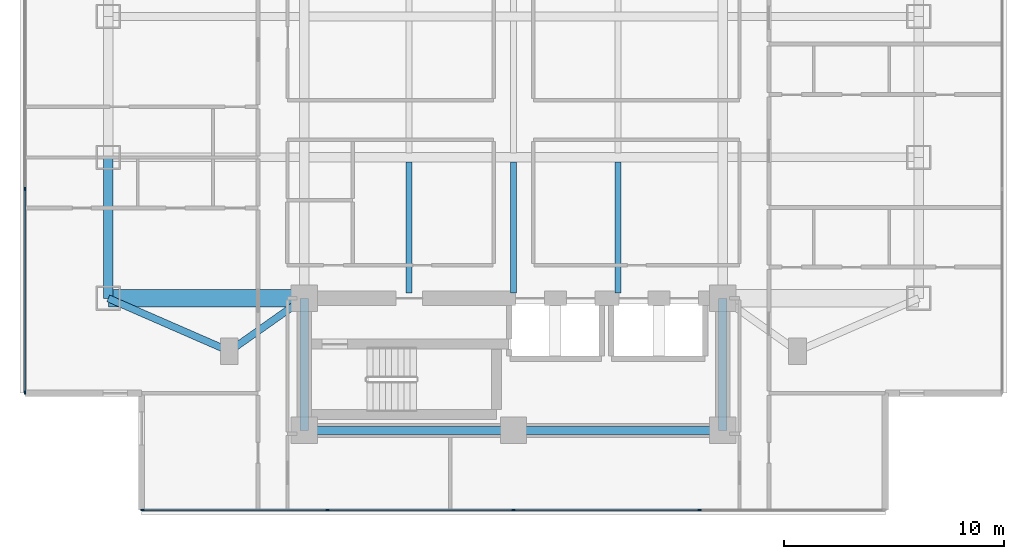
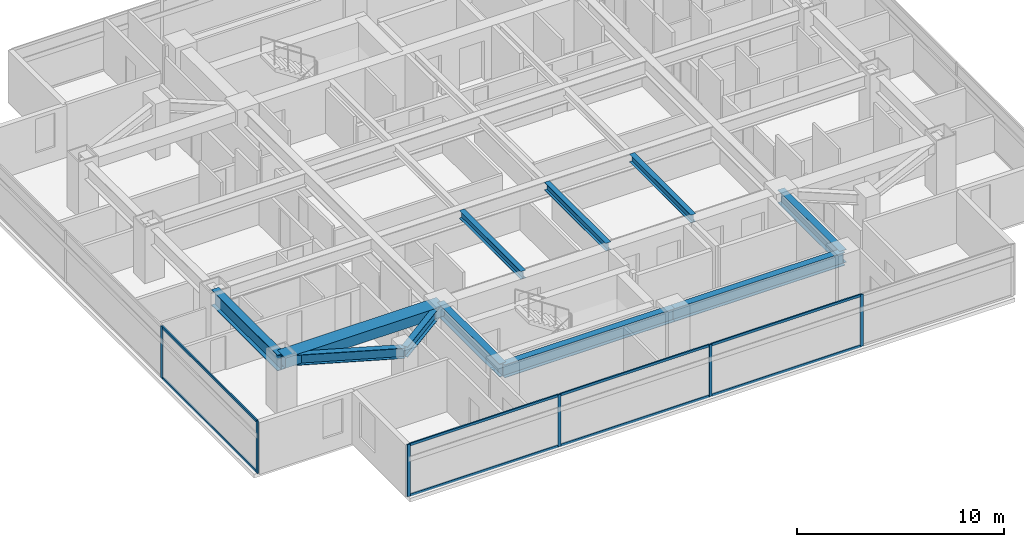
# One storey, part 2 of 25: 14 members, 11 beams, 2 elements without a shape of their own.
"""IFC4 building model written with IfcOpenShell, lengths in metres."""

from ifc_helpers import new_model, si_unit, direction, frame, origin, origin_2d, place, context, subcontext, project, spatial, rectangle, i_section, extrude, material, material_profile, profile_set, type_object, element, aggregate, save


model = new_model("IFC4")

# Units and contexts
model_context = context("Model", 3, precision=1e-05, world=origin(), true_north=direction((0.0, 1.0)))
body_context = subcontext(model_context, "Body", "Model", "MODEL_VIEW")
ifc_project = project(units=[si_unit("LENGTHUNIT", "METRE"), si_unit("AREAUNIT", "SQUARE_METRE"), si_unit("VOLUMEUNIT", "CUBIC_METRE"), si_unit("PLANEANGLEUNIT", "RADIAN"), si_unit("MASSUNIT", "GRAM", prefix="KILO")], contexts=[model_context])

# Site, building, storey
site_placement = place(None, origin())
site = spatial("IfcSite", under=ifc_project, at=site_placement, CompositionType="ELEMENT")
building_placement = place(site_placement, origin())
building = spatial("IfcBuilding", under=site, at=building_placement, Name="Mirazonda Arch Towers", CompositionType="ELEMENT")
storey_placement = place(building_placement, frame((0.0, 0.0, 111.5)))
storey = spatial("IfcBuildingStorey", under=building, at=storey_placement, Name="L31", CompositionType="ELEMENT", Elevation=111.5)

# Beams
ifc_material_1 = material(Name="Steel ASTM A992 Grade 50", Category="steel")
ifc_material_profile_1 = material_profile(ifc_material_1, i_section(OverallWidth=0.41796875, OverallDepth=0.927001953125, WebThickness=0.019287109375, FlangeThickness=0.031982421875, at=origin_2d()), Name="W36X231")
ifc_profile_set_1 = profile_set([ifc_material_profile_1], Name="Steel ASTM A992 Grade 50")
beam_type_1 = type_object("IfcBeamType", Name="BM-EXT-W36X231", PredefinedType="USERDEFINED", material=ifc_profile_set_1)
beam_1_placement = place(storey_placement, frame((2.10009765625, 18.39990234375, 2.616455078125), z_axis=(0.0, 1.0, 0.0), x_axis=(-1.0, 0.0, 0.0)))
element("IfcBeam", 1, at=beam_1_placement, inside=storey, type_object=beam_type_1, Name="L31 Floor Beam BM-T1-L31-NS-W-18", ObjectType="GIRDER", PredefinedType="USERDEFINED", context=body_context, shape_type="SweptSolid", body=[
    extrude(i_section(OverallWidth=0.41796875, OverallDepth=0.927001953125, WebThickness=0.019287109375, FlangeThickness=0.031982421875, at=origin_2d()), origin(), (0.0, 0.0, 1.0), 6.400146484375),
])
ifc_material_profile_2 = material_profile(ifc_material_1, i_section(OverallWidth=0.280029296875, OverallDepth=0.462890625, WebThickness=0.0107421875, FlangeThickness=0.017333984375, at=origin_2d()), Name="W18X76")
ifc_profile_set_2 = profile_set([ifc_material_profile_2], Name="Steel ASTM A992 Grade 50")
beam_type_2 = type_object("IfcBeamType", Name="BM-INT-W18X76", PredefinedType="JOIST", material=ifc_profile_set_2)
for number, where, z_axis, x_axis, name in (
    (2, (15.75, 18.639892578125, 2.848388671875), (0.0, 1.0, 0.0), (-1.0, 0.0, 0.0), "L31 Floor Beam BM-T1-L31-J-157-18"),
    (3, (20.5, 18.639892578125, 2.848388671875), (0.0, 1.0, 0.0), (-1.0, 0.0, 0.0), "L31 Floor Beam BM-T1-L31-J-205-18"),
    (4, (25.25, 18.639892578125, 2.848388671875), (0.0, 1.0, 0.0), (-1.0, 0.0, 0.0), "L31 Floor Beam BM-T1-L31-J-252-18"),
):
    element("IfcBeam", number, at=place(storey_placement, frame(where, z_axis=z_axis, x_axis=x_axis)), inside=storey, type_object=beam_type_2, Name=name, PredefinedType="JOIST", context=body_context, shape_type="SweptSolid", body=[
        extrude(i_section(OverallWidth=0.280029296875, OverallDepth=0.462890625, WebThickness=0.0107421875, FlangeThickness=0.017333984375, at=origin_2d()), origin(), (0.0, 0.0, 1.0), 5.95263671875),
    ])
ifc_material_profile_3 = material_profile(ifc_material_1, i_section(OverallWidth=0.324951171875, OverallDepth=0.615966796875, WebThickness=0.013916015625, FlangeThickness=0.021484375, at=origin_2d()), Name="W24X117")
ifc_profile_set_3 = profile_set([ifc_material_profile_3], Name="Steel ASTM A992 Grade 50")
beam_type_3 = type_object("IfcBeamType", Name="BM-INT-W24X117", PredefinedType="BEAM", material=ifc_profile_set_3)
beam_2_placement = place(storey_placement, frame((7.60009765625, 16.0, 2.77197265625), z_axis=(0.816971114901, 0.576678591087, 0.0), x_axis=(-0.576678591087, 0.816971114901, 0.0)))
element("IfcBeam", 5, at=beam_2_placement, inside=storey, type_object=beam_type_3, Name="L31 Floor Beam BM-T1-L31-PL-SW1", PredefinedType="BEAM", context=body_context, shape_type="SweptSolid", body=[
    extrude(i_section(OverallWidth=0.324951171875, OverallDepth=0.615966796875, WebThickness=0.013916015625, FlangeThickness=0.021484375, at=origin_2d()), origin(), (0.0, 0.0, 1.0), 4.16162109375),
])
beam_3_placement = place(storey_placement, frame((7.60009765625, 16.0, 2.77197265625), z_axis=(-0.916545343703, 0.399930785183, 0.0), x_axis=(-0.399930785183, -0.916545343703, 0.0)))
element("IfcBeam", 6, at=beam_3_placement, inside=storey, type_object=beam_type_3, Name="L31 Floor Beam BM-T1-L31-PL-SW2", PredefinedType="BEAM", context=body_context, shape_type="SweptSolid", body=[
    extrude(i_section(OverallWidth=0.324951171875, OverallDepth=0.615966796875, WebThickness=0.013916015625, FlangeThickness=0.021484375, at=origin_2d()), origin(), (0.0, 0.0, 1.0), 6.000732421875),
])
ifc_material_profile_4 = material_profile(ifc_material_1, i_section(OverallWidth=0.381103515625, OverallDepth=0.77294921875, WebThickness=0.0166015625, FlangeThickness=0.027099609375, at=origin_2d()), Name="W30X173")
ifc_profile_set_4 = profile_set([ifc_material_profile_4], Name="Steel ASTM A992 Grade 50")
beam_type_4 = type_object("IfcBeamType", Name="BM-INT-W30X173", PredefinedType="USERDEFINED", material=ifc_profile_set_4)
for number, where, z_axis, x_axis, name in (
    (7, (11.0, 12.39990234375, 2.693603515625), (1.0, 0.0, 0.0), (0.0, 1.0, 0.0), "L31 Floor Beam BM-T1-L31-CS1"),
    (8, (20.5, 12.39990234375, 2.693603515625), (1.0, 0.0, 0.0), (0.0, 1.0, 0.0), "L31 Floor Beam BM-T1-L31-CS2"),
):
    element("IfcBeam", number, at=place(storey_placement, frame(where, z_axis=z_axis, x_axis=x_axis)), inside=storey, type_object=beam_type_4, Name=name, ObjectType="GIRDER", PredefinedType="USERDEFINED", context=body_context, shape_type="SweptSolid", body=[
        extrude(i_section(OverallWidth=0.381103515625, OverallDepth=0.77294921875, WebThickness=0.0166015625, FlangeThickness=0.027099609375, at=origin_2d()), origin(), (0.0, 0.0, 1.0), 9.5),
    ])
for number, where, z_axis, x_axis, name in (
    (9, (11.0, 12.39990234375, 2.693603515625), (0.0, 1.0, 0.0), (-1.0, 0.0, 0.0), "L31 Floor Beam BM-T1-L31-CSW"),
    (10, (30.0, 12.39990234375, 2.693603515625), (0.0, 1.0, 0.0), (-1.0, 0.0, 0.0), "L31 Floor Beam BM-T1-L31-CSE"),
):
    element("IfcBeam", number, at=place(storey_placement, frame(where, z_axis=z_axis, x_axis=x_axis)), inside=storey, type_object=beam_type_4, Name=name, ObjectType="GIRDER", PredefinedType="USERDEFINED", context=body_context, shape_type="SweptSolid", body=[
        extrude(i_section(OverallWidth=0.381103515625, OverallDepth=0.77294921875, WebThickness=0.0166015625, FlangeThickness=0.027099609375, at=origin_2d()), origin(), (0.0, 0.0, 1.0), 6.0),
    ])
ifc_material_2 = material(Name="Concrete C60/75", Category="concrete")
ifc_material_profile_5 = material_profile(ifc_material_2, rectangle(XDim=0.800048828125, YDim=0.60009765625, at=origin_2d()), Name="RCCB800x600")
ifc_profile_set_5 = profile_set([ifc_material_profile_5], Name="Concrete C60/75")
beam_type_5 = type_object("IfcBeamType", Name="CB-INT-RCCB800x600", PredefinedType="SPANDREL", material=ifc_profile_set_5)
beam_4_placement = place(storey_placement, frame((2.10009765625, 18.39990234375, 2.780029296875), z_axis=(1.0, 0.0, 0.0), x_axis=(0.0, 1.0, 0.0)))
element("IfcBeam", 11, at=beam_4_placement, inside=storey, type_object=beam_type_5, Name="L31 Floor Beam CBC-T1-L31-SW", PredefinedType="SPANDREL", context=body_context, shape_type="SweptSolid", body=[
    extrude(rectangle(XDim=0.800048828125, YDim=0.60009765625, at=origin_2d()), origin(), (0.0, 0.0, 1.0), 8.89990234375),
])

# Curtain wall, members
ifc_material_3 = material(Name="Anodised Aluminium and Low-E Glass", Category="aluminium")
curtain_wall_type = type_object("IfcCurtainWallType", Name="CW-HTL-UNIT", PredefinedType="NOTDEFINED", material=ifc_material_3)
curtain_wall_1_placement = place(storey_placement, origin())
curtain_wall_1 = element("IfcCurtainWall", 12, at=curtain_wall_1_placement, inside=storey, type_object=curtain_wall_type, Name="L31 T1 S Facade CW-L31-T1-S", PredefinedType="NOTDEFINED")
ifc_material_4 = material(Name="Anodised Aluminium Alloy", Category="aluminium")
ifc_material_profile_6 = material_profile(ifc_material_4, rectangle(XDim=0.074951171875, YDim=0.1650390625, at=origin_2d()), Name="ALU-MULL-75x165")
ifc_profile_set_6 = profile_set([ifc_material_profile_6], Name="Anodised Aluminium Alloy")
member_type_1 = type_object("IfcMemberType", Name="MULL-CW-HTL-UNIT", PredefinedType="MULLION", material=ifc_profile_set_6)
member_1_placement = place(storey_placement, frame((28.9423828125, 8.783935546875, 0.0), z_axis=(0.0, 0.0, 1.0), x_axis=(0.0, -1.0, 0.0)))
member_1 = element("IfcMember", 13, at=member_1_placement, type_object=member_type_1, Name="CW-112 mullion 2", PredefinedType="MULLION", context=body_context, shape_type="SweptSolid", body=[
    extrude(rectangle(XDim=0.074951171875, YDim=0.1650390625, at=origin_2d()), origin(), (0.0, 0.0, 1.0), 3.06005859375),
])
member_2_placement = place(storey_placement, frame((20.5, 8.783935546875, 0.0), z_axis=(0.0, 0.0, 1.0), x_axis=(0.0, -1.0, 0.0)))
member_2 = element("IfcMember", 14, at=member_2_placement, type_object=member_type_1, Name="CW-112 mullion 3", PredefinedType="MULLION", context=body_context, shape_type="SweptSolid", body=[
    extrude(rectangle(XDim=0.074951171875, YDim=0.1650390625, at=origin_2d()), origin(), (0.0, 0.0, 1.0), 3.06005859375),
])
member_3_placement = place(storey_placement, frame((12.0576171875, 8.783935546875, 0.0), z_axis=(0.0, 0.0, 1.0), x_axis=(0.0, -1.0, 0.0)))
member_3 = element("IfcMember", 15, at=member_3_placement, type_object=member_type_1, Name="CW-112 mullion 4", PredefinedType="MULLION", context=body_context, shape_type="SweptSolid", body=[
    extrude(rectangle(XDim=0.074951171875, YDim=0.1650390625, at=origin_2d()), origin(), (0.0, 0.0, 1.0), 3.06005859375),
])
member_4_placement = place(storey_placement, frame((3.652587890625, 8.783935546875, 0.0), z_axis=(0.0, 0.0, 1.0), x_axis=(0.0, -1.0, 0.0)))
member_4 = element("IfcMember", 16, at=member_4_placement, type_object=member_type_1, Name="CW-112 mullion 5", PredefinedType="MULLION", context=body_context, shape_type="SweptSolid", body=[
    extrude(rectangle(XDim=0.074951171875, YDim=0.1650390625, at=origin_2d()), origin(), (0.0, 0.0, 1.0), 3.06005859375),
])

curtain_wall_2_placement = place(storey_placement, origin())
curtain_wall_2 = element("IfcCurtainWall", 17, at=curtain_wall_2_placement, inside=storey, type_object=curtain_wall_type, Name="L31 T1 W Facade CW-L31-T1-W", PredefinedType="NOTDEFINED")
member_5_placement = place(storey_placement, frame((-1.68994140625, 23.363037109375, 0.0), z_axis=(0.0, 0.0, 1.0), x_axis=(1.0, 0.0, 0.0)))
member_5 = element("IfcMember", 18, at=member_5_placement, type_object=member_type_1, Name="CW-112 mullion 3", PredefinedType="MULLION", context=body_context, shape_type="SweptSolid", body=[
    extrude(rectangle(XDim=0.074951171875, YDim=0.1650390625, at=origin_2d()), origin(), (0.0, 0.0, 1.0), 3.06005859375),
])
member_6_placement = place(storey_placement, frame((-1.68994140625, 14.12646484375, 0.0), z_axis=(0.0, 0.0, 1.0), x_axis=(1.0, 0.0, 0.0)))
member_6 = element("IfcMember", 19, at=member_6_placement, type_object=member_type_1, Name="CW-112 mullion 4", PredefinedType="MULLION", context=body_context, shape_type="SweptSolid", body=[
    extrude(rectangle(XDim=0.074951171875, YDim=0.1650390625, at=origin_2d()), origin(), (0.0, 0.0, 1.0), 3.06005859375),
])

# Member
ifc_material_profile_7 = material_profile(ifc_material_4, rectangle(XDim=0.074951171875, YDim=0.14501953125, at=origin_2d()), Name="ALU-TRAN-75x145")
ifc_profile_set_7 = profile_set([ifc_material_profile_7], Name="Anodised Aluminium Alloy")
member_type_2 = type_object("IfcMemberType", Name="TRAN-CW-HTL-UNIT", PredefinedType="USERDEFINED", material=ifc_profile_set_7)
member_7_placement = place(storey_placement, frame((28.905029296875, 8.783935546875, 0.03759765625), z_axis=(-1.0, 0.0, 0.0), x_axis=(0.0, -1.0, 0.0)))
member_7 = element("IfcMember", 20, at=member_7_placement, type_object=member_type_2, Name="CW-112 transom 2.1", ObjectType="TRANSOM", PredefinedType="USERDEFINED", context=body_context, shape_type="SweptSolid", body=[
    extrude(rectangle(XDim=0.074951171875, YDim=0.14501953125, at=origin_2d()), origin(), (0.0, 0.0, 1.0), 8.367431640625),
])

member_8_placement = place(storey_placement, frame((28.905029296875, 8.783935546875, 3.0224609375), z_axis=(-1.0, 0.0, 0.0), x_axis=(0.0, -1.0, 0.0)))
member_8 = element("IfcMember", 21, at=member_8_placement, type_object=member_type_2, Name="CW-112 transom 2.2", ObjectType="TRANSOM", PredefinedType="USERDEFINED", context=body_context, shape_type="SweptSolid", body=[
    extrude(rectangle(XDim=0.074951171875, YDim=0.14501953125, at=origin_2d()), origin(), (0.0, 0.0, 1.0), 8.367431640625),
])

member_9_placement = place(storey_placement, frame((20.46240234375, 8.783935546875, 0.03759765625), z_axis=(-1.0, 0.0, 0.0), x_axis=(0.0, -1.0, 0.0)))
member_9 = element("IfcMember", 22, at=member_9_placement, type_object=member_type_2, Name="CW-112 transom 3.1", ObjectType="TRANSOM", PredefinedType="USERDEFINED", context=body_context, shape_type="SweptSolid", body=[
    extrude(rectangle(XDim=0.074951171875, YDim=0.14501953125, at=origin_2d()), origin(), (0.0, 0.0, 1.0), 8.367431640625),
])

member_10_placement = place(storey_placement, frame((20.46240234375, 8.783935546875, 3.0224609375), z_axis=(-1.0, 0.0, 0.0), x_axis=(0.0, -1.0, 0.0)))
member_10 = element("IfcMember", 23, at=member_10_placement, type_object=member_type_2, Name="CW-112 transom 3.2", ObjectType="TRANSOM", PredefinedType="USERDEFINED", context=body_context, shape_type="SweptSolid", body=[
    extrude(rectangle(XDim=0.074951171875, YDim=0.14501953125, at=origin_2d()), origin(), (0.0, 0.0, 1.0), 8.367431640625),
])

member_11_placement = place(storey_placement, frame((12.02001953125, 8.783935546875, 0.03759765625), z_axis=(-1.0, 0.0, 0.0), x_axis=(0.0, -1.0, 0.0)))
member_11 = element("IfcMember", 24, at=member_11_placement, type_object=member_type_2, Name="CW-112 transom 4.1", ObjectType="TRANSOM", PredefinedType="USERDEFINED", context=body_context, shape_type="SweptSolid", body=[
    extrude(rectangle(XDim=0.074951171875, YDim=0.14501953125, at=origin_2d()), origin(), (0.0, 0.0, 1.0), 8.330078125),
])

member_12_placement = place(storey_placement, frame((12.02001953125, 8.783935546875, 3.0224609375), z_axis=(-1.0, 0.0, 0.0), x_axis=(0.0, -1.0, 0.0)))
member_12 = element("IfcMember", 25, at=member_12_placement, type_object=member_type_2, Name="CW-112 transom 4.2", ObjectType="TRANSOM", PredefinedType="USERDEFINED", context=body_context, shape_type="SweptSolid", body=[
    extrude(rectangle(XDim=0.074951171875, YDim=0.14501953125, at=origin_2d()), origin(), (0.0, 0.0, 1.0), 8.330078125),
])

aggregate(curtain_wall_1, [member_1, member_2, member_3, member_4, member_7, member_8, member_9, member_10, member_11, member_12])

member_13_placement = place(storey_placement, frame((-1.68994140625, 23.325439453125, 0.03759765625), z_axis=(0.0, -1.0, 0.0), x_axis=(1.0, 0.0, 0.0)))
member_13 = element("IfcMember", 26, at=member_13_placement, type_object=member_type_2, Name="CW-112 transom 3.1", ObjectType="TRANSOM", PredefinedType="USERDEFINED", context=body_context, shape_type="SweptSolid", body=[
    extrude(rectangle(XDim=0.074951171875, YDim=0.14501953125, at=origin_2d()), origin(), (0.0, 0.0, 1.0), 9.161376953125),
])

member_14_placement = place(storey_placement, frame((-1.68994140625, 23.325439453125, 3.0224609375), z_axis=(0.0, -1.0, 0.0), x_axis=(1.0, 0.0, 0.0)))
member_14 = element("IfcMember", 27, at=member_14_placement, type_object=member_type_2, Name="CW-112 transom 3.2", ObjectType="TRANSOM", PredefinedType="USERDEFINED", context=body_context, shape_type="SweptSolid", body=[
    extrude(rectangle(XDim=0.074951171875, YDim=0.14501953125, at=origin_2d()), origin(), (0.0, 0.0, 1.0), 9.161376953125),
])

aggregate(curtain_wall_2, [member_5, member_6, member_13, member_14])

save(model, "model.ifc")
